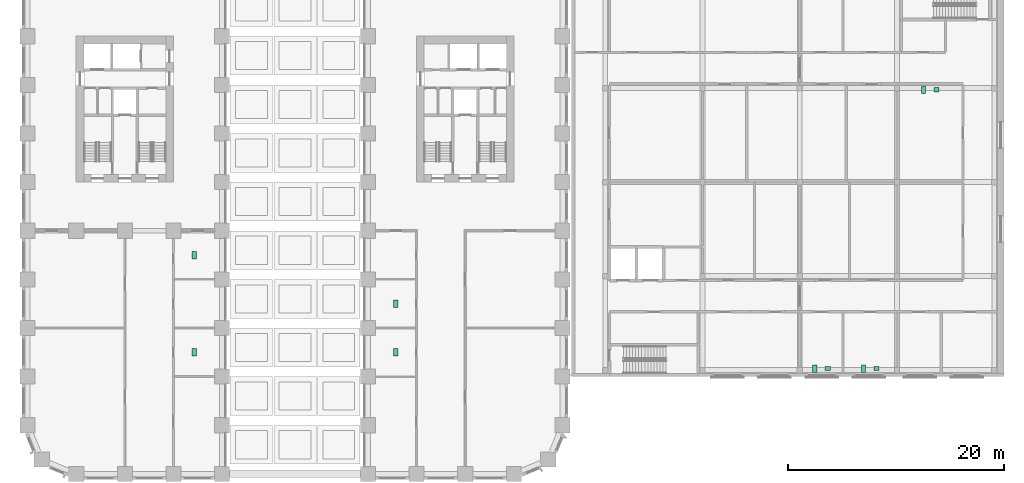
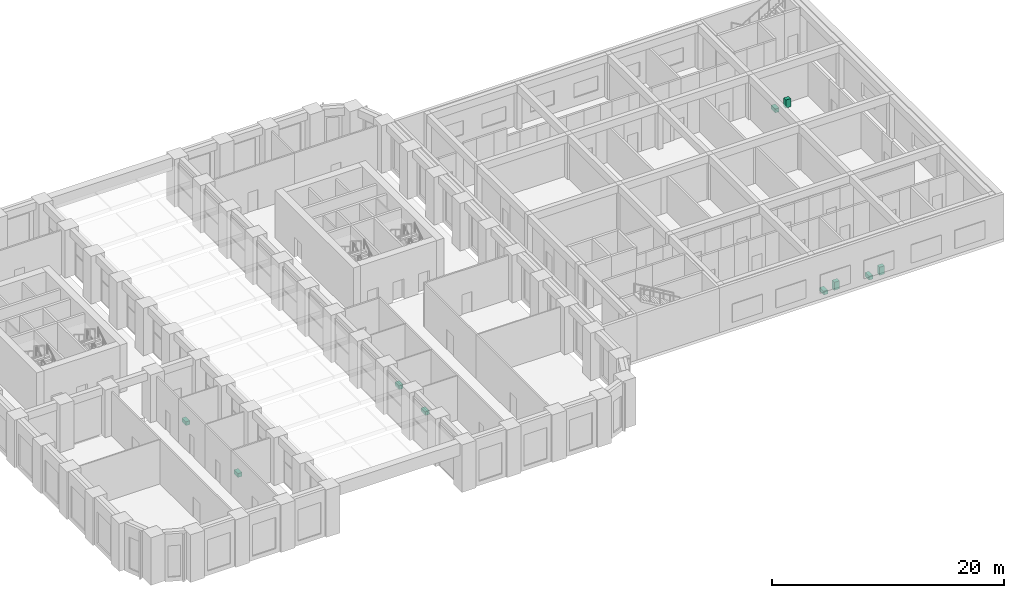
# One storey, part 24 of 24: 10 sanitary terminals.
"""IFC4 building model written with IfcOpenShell, lengths in metres."""

from ifc_helpers import new_model, si_unit, direction, frame, origin, origin_2d, place, context, subcontext, project, spatial, rectangle, extrude, material, type_object, element, save


model = new_model("IFC4")

# Units and contexts
model_context = context("Model", 3, precision=1e-05, world=origin(), true_north=direction((0.0, 1.0)))
body_context = subcontext(model_context, "Body", "Model", "MODEL_VIEW")
ifc_project = project(units=[si_unit("LENGTHUNIT", "METRE"), si_unit("AREAUNIT", "SQUARE_METRE"), si_unit("VOLUMEUNIT", "CUBIC_METRE"), si_unit("PLANEANGLEUNIT", "RADIAN"), si_unit("MASSUNIT", "GRAM", prefix="KILO")], contexts=[model_context])

# Site, building, storey
site_placement = place(None, origin())
site = spatial("IfcSite", under=ifc_project, at=site_placement, CompositionType="ELEMENT")
building_placement = place(site_placement, origin())
building = spatial("IfcBuilding", under=site, at=building_placement, Name="Girih Gate Residences", CompositionType="ELEMENT")
storey_placement = place(building_placement, frame((0.0, 0.0, 16.0)))
storey = spatial("IfcBuildingStorey", under=building, at=storey_placement, Name="L03", CompositionType="ELEMENT", Elevation=16.0)

# Sanitary terminals
ifc_material = material(Name="Vitreous china")
sanitary_terminal_type_1 = type_object("IfcSanitaryTerminalType", Name="HC WC pan", PredefinedType="WCSEAT", material=ifc_material)
for number, where, z_axis, x_axis, name in (
    (1, (72.85009765625, 9.75, 0.0), (0.0, 0.0, 1.0), (1.0, 0.0, 0.0), "L03 Accessible WC WC"),
    (2, (77.35009765625, 9.75, 0.0), (0.0, 0.0, 1.0), (1.0, 0.0, 0.0), "L03 Public WC WC"),
    (3, (82.89990234375, 35.550048828125, 0.0), (0.0, 0.0, 1.0), (1.0, 0.0, 0.0), "L03 Staff WC WC"),
):
    element("IfcSanitaryTerminal", number, at=place(storey_placement, frame(where, z_axis=z_axis, x_axis=x_axis)), inside=storey, type_object=sanitary_terminal_type_1, Name=name, PredefinedType="WCSEAT", context=body_context, shape_type="SweptSolid", body=[
        extrude(rectangle(XDim=0.39990234375, YDim=0.699951171875, at=origin_2d()), origin(), (0.0, 0.0, 1.0), 0.39990234375),
    ])
sanitary_terminal_type_2 = type_object("IfcSanitaryTerminalType", Name="HC Wash hand basin", PredefinedType="WASHHANDBASIN", material=ifc_material)
for number, where, z_axis, x_axis, name in (
    (4, (74.050048828125, 9.75, 0.0), (0.0, 0.0, 1.0), (1.0, 0.0, 0.0), "L03 Accessible WC basin"),
    (5, (78.550048828125, 9.75, 0.0), (0.0, 0.0, 1.0), (1.0, 0.0, 0.0), "L03 Public WC basin"),
    (6, (84.10009765625, 35.550048828125, 0.0), (0.0, 0.0, 1.0), (1.0, 0.0, 0.0), "L03 Staff WC basin"),
):
    element("IfcSanitaryTerminal", number, at=place(storey_placement, frame(where, z_axis=z_axis, x_axis=x_axis)), inside=storey, type_object=sanitary_terminal_type_2, Name=name, PredefinedType="WASHHANDBASIN", context=body_context, shape_type="SweptSolid", body=[
        extrude(rectangle(XDim=0.5, YDim=0.39990234375, at=origin_2d()), origin(), (0.0, 0.0, 1.0), 0.85009765625),
    ])
sanitary_terminal_type_3 = type_object("IfcSanitaryTerminalType", Name="WC pan", PredefinedType="TOILETPAN", material=ifc_material)
for number, where, z_axis, x_axis, name in (
    (7, (34.06201171875, 11.25, 0.0), (0.0, 0.0, 1.0), (1.0, 0.0, 0.0), "WC pan L03"),
    (8, (34.06201171875, 15.75, 0.0), (0.0, 0.0, 1.0), (1.0, 0.0, 0.0), "WC pan L03"),
    (9, (15.43798828125, 11.261962890625, 0.0), (0.0, 0.0, 1.0), (1.0, 0.0, 0.0), "WC pan L03"),
    (10, (15.43798828125, 20.238037109375, 0.0), (0.0, 0.0, 1.0), (1.0, 0.0, 0.0), "WC pan L03"),
):
    element("IfcSanitaryTerminal", number, at=place(storey_placement, frame(where, z_axis=z_axis, x_axis=x_axis)), inside=storey, type_object=sanitary_terminal_type_3, Name=name, PredefinedType="TOILETPAN", context=body_context, shape_type="SweptSolid", body=[
        extrude(rectangle(XDim=0.39990234375, YDim=0.699951171875, at=origin_2d()), origin(), (0.0, 0.0, 1.0), 0.39990234375),
    ])

save(model, "model.ifc")
